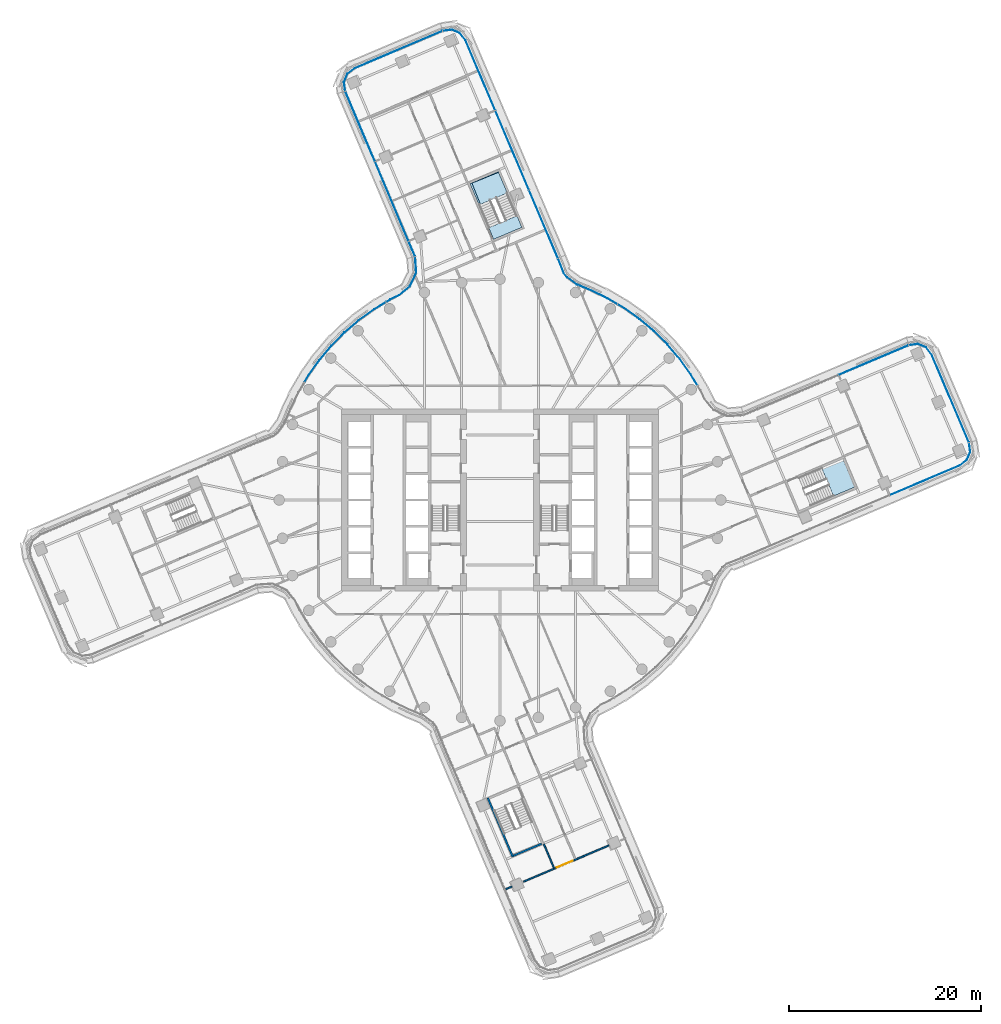
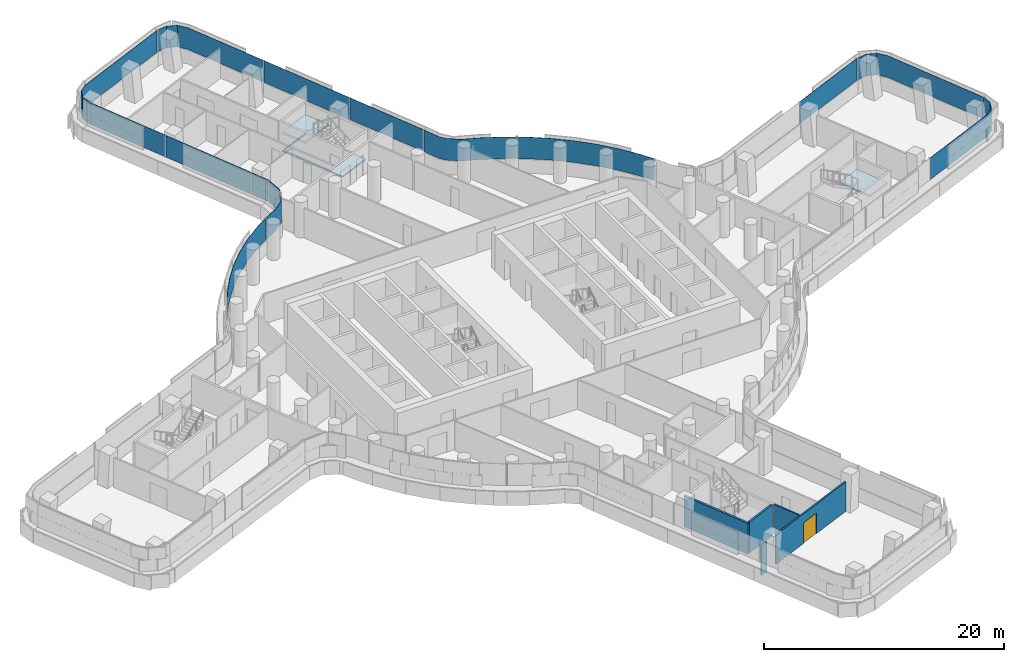
# One storey, part 20 of 35: 14 plates, 5 walls, 3 slabs, 1 door, 1 opening, 10 elements without a shape of their own.
"""IFC4 building model written with IfcOpenShell, lengths in metres."""

from ifc_helpers import new_model, si_unit, direction, frame, frame_2d, origin, place, context, subcontext, project, spatial, polyline, rectangle, outline, extrude, material, layer, layer_set, type_object, element, fill, aggregate, save


model = new_model("IFC4")

# Units and contexts
model_context = context("Model", 3, precision=1e-05, world=origin(), true_north=direction((0.0, 1.0)))
body_context = subcontext(model_context, "Body", "Model", "MODEL_VIEW")
ifc_project = project(units=[si_unit("LENGTHUNIT", "METRE"), si_unit("AREAUNIT", "SQUARE_METRE"), si_unit("VOLUMEUNIT", "CUBIC_METRE"), si_unit("PLANEANGLEUNIT", "RADIAN"), si_unit("MASSUNIT", "GRAM", prefix="KILO")], contexts=[model_context])

# Site, building, storey
site_placement = place(None, origin())
site = spatial("IfcSite", under=ifc_project, at=site_placement, CompositionType="ELEMENT")
building_placement = place(site_placement, origin())
building = spatial("IfcBuilding", under=site, at=building_placement, Name="Tamarind Cross Interchange Tower", CompositionType="ELEMENT")
storey_placement = place(building_placement, frame((0.0, 0.0, 117.25)))
storey = spatial("IfcBuildingStorey", under=building, at=storey_placement, Name="L28", CompositionType="ELEMENT", Elevation=117.25)

# Slab
ifc_material_1 = material(Name="Concrete C35", Category="concrete")
ifc_layer_1 = layer(ifc_material_1, 0.139892578125)
ifc_layer_set_1 = layer_set([ifc_layer_1], Name="Concrete C35")
slab_type_1 = type_object("IfcSlabType", Name="Composite slab 140 Concrete C35", PredefinedType="FLOOR", material=ifc_layer_set_1)
slab_1_placement = place(storey_placement, frame((0.0, 0.0, -0.139892578125)))
element("IfcSlab", 1, at=slab_1_placement, inside=storey, type_object=slab_type_1, Name="Floor slab L28", PredefinedType="FLOOR", context=body_context, shape_type="SweptSolid", body=[
    extrude(outline(polyline([(-0.663818359375, 27.149658203125), (2.2822265625, 28.3994140625), (1.80224609375, 29.531005859375), (1.77001953125, 29.607177734375), (-1.06982421875, 28.402587890625), (-2.923583984375, 33.004638671875), (-0.145751953125, 34.12353515625), (-0.177978515625, 34.19921875), (-3.123779296875, 32.949462890625), (-0.663818359375, 27.149658203125)])), origin(), (0.0, 0.0, 1.0), 0.139892578125),
])

# Stair, slab
ifc_material_2 = material(Name="Exit stair")
stair_type = type_object("IfcStairType", Name="Exit stair", PredefinedType="HALF_TURN_STAIR", material=ifc_material_2)
stair_1_placement = place(storey_placement, origin())
stair_1 = element("IfcStair", 2, at=stair_1_placement, inside=storey, type_object=stair_type, Name="L28 exit stair ST3", PredefinedType="HALF_TURN_STAIR")
ifc_material_3 = material(Name="Concrete C40", Category="concrete")
ifc_layer_2 = layer(ifc_material_3, 0.199951171875)
ifc_layer_set_2 = layer_set([ifc_layer_2], Name="Concrete C40")
slab_type_2 = type_object("IfcSlabType", Name="Stair landing", PredefinedType="LANDING", material=ifc_layer_set_2)
slab_2_placement = place(storey_placement, frame((0.0, 0.0, 1.675048828125)))
slab_2 = element("IfcSlab", 3, at=slab_2_placement, type_object=slab_type_2, Name="ST3 landing 1", PredefinedType="LANDING", context=body_context, shape_type="SweptSolid", body=[
    extrude(outline(polyline([(34.740478515625, 0.407470703125), (36.9609375, 1.349365234375), (35.71142578125, 4.29541015625), (33.49072265625, 3.353515625), (34.740478515625, 0.407470703125)])), origin(), (0.0, 0.0, 1.0), 0.199951171875),
])
aggregate(stair_1, [slab_2])

stair_2_placement = place(storey_placement, origin())
stair_2 = element("IfcStair", 4, at=stair_2_placement, inside=storey, type_object=stair_type, Name="L28 exit stair ST4", PredefinedType="HALF_TURN_STAIR")
slab_3_placement = place(storey_placement, frame((0.0, 0.0, 1.675048828125)))
slab_3 = element("IfcSlab", 5, at=slab_3_placement, type_object=slab_type_2, Name="ST4 landing 1", PredefinedType="LANDING", context=body_context, shape_type="SweptSolid", body=[
    extrude(outline(polyline([(0.763916015625, 31.978515625), (-0.177978515625, 34.19921875), (-3.123779296875, 32.949462890625), (-2.181884765625, 30.72900390625), (0.763916015625, 31.978515625)])), origin(), (0.0, 0.0, 1.0), 0.199951171875),
])
aggregate(stair_2, [slab_3])

# Curtain wall, plate
ifc_material_4 = material(Name="Aluminium 6063-T6", Category="aluminium")
ifc_layer_3 = layer(ifc_material_4, 0.159912109375)
ifc_layer_set_3 = layer_set([ifc_layer_3], Name="Aluminium 6063-T6")
curtain_wall_type = type_object("IfcCurtainWallType", Name="Office curtain wall, 9.0 m bays", PredefinedType="NOTDEFINED", material=ifc_layer_set_3)
curtain_wall_1_placement = place(storey_placement, origin())
curtain_wall_1 = element("IfcCurtainWall", 6, at=curtain_wall_1_placement, inside=storey, type_object=curtain_wall_type, Name="CWS-L28-07", PredefinedType="NOTDEFINED")
ifc_material_5 = material(Name="Laminated low-e glass 8+1.52+8", Category="glass")
ifc_layer_4 = layer(ifc_material_5, 0.028076171875)
ifc_layer_set_4 = layer_set([ifc_layer_4], Name="Laminated low-e glass 8+1.52+8")
plate_type = type_object("IfcPlateType", Name="Vision panel CW1", PredefinedType="CURTAIN_PANEL", material=ifc_layer_set_4)
plate_1_placement = place(storey_placement, frame((0.0, 0.0, 1.39990234375)))
plate_1 = element("IfcPlate", 7, at=plate_1_placement, type_object=plate_type, Name="CWP-L28-07-02", PredefinedType="CURTAIN_PANEL", context=body_context, shape_type="SweptSolid", body=[
    extrude(outline(polyline([(40.58837890625, 0.513427734375), (47.872802734375, 3.603271484375), (48.621337890625, 4.18798828125), (48.96630859375, 5.04150390625), (48.83837890625, 5.9541015625), (48.865966796875, 5.9580078125), (48.9951171875, 5.037841796875), (48.64453125, 4.17041015625), (47.886962890625, 3.5791015625), (40.59912109375, 0.48779296875), (40.58837890625, 0.513427734375)])), origin(), (0.0, 0.0, 1.0), 2.210205078125),
])
aggregate(curtain_wall_1, [plate_1])

curtain_wall_2_placement = place(storey_placement, origin())
curtain_wall_2 = element("IfcCurtainWall", 8, at=curtain_wall_2_placement, inside=storey, type_object=curtain_wall_type, Name="CWS-L28-08", PredefinedType="NOTDEFINED")
plate_2_placement = place(storey_placement, frame((0.0, 0.0, 1.39990234375)))
plate_2 = element("IfcPlate", 9, at=plate_2_placement, type_object=plate_type, Name="CWP-L28-08-00", PredefinedType="CURTAIN_PANEL", context=body_context, shape_type="SweptSolid", body=[
    extrude(outline(polyline([(48.823486328125, 6.0078125), (44.951416015625, 15.13623046875), (44.366943359375, 15.884765625), (43.513427734375, 16.229736328125), (42.6005859375, 16.101806640625), (42.5966796875, 16.12939453125), (43.516845703125, 16.258544921875), (44.38427734375, 15.90771484375), (44.975830078125, 15.150390625), (48.84912109375, 6.018798828125), (48.823486328125, 6.0078125)])), origin(), (0.0, 0.0, 1.0), 2.210205078125),
])
aggregate(curtain_wall_2, [plate_2])

curtain_wall_3_placement = place(storey_placement, origin())
curtain_wall_3 = element("IfcCurtainWall", 10, at=curtain_wall_3_placement, inside=storey, type_object=curtain_wall_type, Name="CWS-L28-09", PredefinedType="NOTDEFINED")
plate_3_placement = place(storey_placement, frame((0.0, 0.0, 1.39990234375)))
plate_3 = element("IfcPlate", 11, at=plate_3_placement, type_object=plate_type, Name="CWP-L28-09-00", PredefinedType="CURTAIN_PANEL", context=body_context, shape_type="SweptSolid", body=[
    extrude(outline(polyline([(42.546630859375, 16.0869140625), (35.271728515625, 13.015380859375), (35.2607421875, 13.041259765625), (42.535888671875, 16.112548828125), (42.546630859375, 16.0869140625)])), origin(), (0.0, 0.0, 1.0), 2.210205078125),
])
aggregate(curtain_wall_3, [plate_3])

# Curtain wall, plates
curtain_wall_4_placement = place(storey_placement, origin())
curtain_wall_4 = element("IfcCurtainWall", 12, at=curtain_wall_4_placement, inside=storey, type_object=curtain_wall_type, Name="CWS-L28-10", PredefinedType="NOTDEFINED")
plate_4_placement = place(storey_placement, frame((0.0, 0.0, 1.39990234375)))
plate_4 = element("IfcPlate", 13, at=plate_4_placement, type_object=plate_type, Name="CWP-L28-10-01", PredefinedType="CURTAIN_PANEL", context=body_context, shape_type="SweptSolid", body=[
    extrude(outline(polyline([(20.57861328125, 11.887451171875), (19.85302734375, 13.093017578125), (18.7041015625, 14.687744140625), (17.42724609375, 16.18212890625), (16.031494140625, 17.56591796875), (14.526123046875, 18.829833984375), (12.921630859375, 19.965087890625), (12.257080078125, 20.357177734375), (12.271240234375, 20.38134765625), (12.936767578125, 19.988525390625), (14.543212890625, 18.85205078125), (16.05029296875, 17.586669921875), (17.44775390625, 16.201171875), (18.72607421875, 14.705078125), (19.87646484375, 13.1083984375), (20.6025390625, 11.90185546875), (20.57861328125, 11.887451171875)])), origin(), (0.0, 0.0, 1.0), 2.210205078125),
])
plate_5_placement = place(storey_placement, frame((0.0, 0.0, 1.39990234375)))
plate_5 = element("IfcPlate", 14, at=plate_5_placement, type_object=plate_type, Name="CWP-L28-10-02", PredefinedType="CURTAIN_PANEL", context=body_context, shape_type="SweptSolid", body=[
    extrude(outline(polyline([(12.205322265625, 20.3876953125), (11.228759765625, 20.9638671875), (9.456787109375, 21.82080078125), (7.982177734375, 22.433837890625), (6.996337890625, 23.1630859375), (6.64013671875, 23.613525390625), (6.033935546875, 25.150634765625), (6.06005859375, 25.160888671875), (6.664794921875, 23.627685546875), (7.01611328125, 23.183349609375), (7.99609375, 22.45849609375), (9.46826171875, 21.846435546875), (11.241943359375, 20.98876953125), (12.2197265625, 20.411865234375), (12.205322265625, 20.3876953125)])), origin(), (0.0, 0.0, 1.0), 2.210205078125),
])
aggregate(curtain_wall_4, [plate_4, plate_5])

curtain_wall_5_placement = place(storey_placement, origin())
curtain_wall_5 = element("IfcCurtainWall", 15, at=curtain_wall_5_placement, inside=storey, type_object=curtain_wall_type, Name="CWS-L28-11", PredefinedType="NOTDEFINED")
plate_6_placement = place(storey_placement, frame((0.0, 0.0, 1.39990234375)))
plate_6 = element("IfcPlate", 16, at=plate_6_placement, type_object=plate_type, Name="CWP-L28-11-00", PredefinedType="CURTAIN_PANEL", context=body_context, shape_type="SweptSolid", body=[
    extrude(outline(polyline([(6.011474609375, 25.205810546875), (3.020263671875, 32.25732421875), (3.046142578125, 32.268310546875), (6.037353515625, 25.216552734375), (6.011474609375, 25.205810546875)])), origin(), (0.0, 0.0, 1.0), 2.210205078125),
])
plate_7_placement = place(storey_placement, frame((0.0, 0.0, 1.39990234375)))
plate_7 = element("IfcPlate", 17, at=plate_7_placement, type_object=plate_type, Name="CWP-L28-11-01", PredefinedType="CURTAIN_PANEL", context=body_context, shape_type="SweptSolid", body=[
    extrude(outline(polyline([(2.996826171875, 32.3125), (-0.489990234375, 40.532958984375), (-0.46435546875, 40.5439453125), (3.022705078125, 32.323486328125), (2.996826171875, 32.3125)])), origin(), (0.0, 0.0, 1.0), 2.210205078125),
])
plate_8_placement = place(storey_placement, frame((0.0, 0.0, 1.39990234375)))
plate_8 = element("IfcPlate", 18, at=plate_8_placement, type_object=plate_type, Name="CWP-L28-11-02", PredefinedType="CURTAIN_PANEL", context=body_context, shape_type="SweptSolid", body=[
    extrude(outline(polyline([(-0.513427734375, 40.58837890625), (-3.603271484375, 47.872802734375), (-4.18798828125, 48.621337890625), (-5.04150390625, 48.96630859375), (-5.9541015625, 48.83837890625), (-5.9580078125, 48.865966796875), (-5.037841796875, 48.9951171875), (-4.17041015625, 48.64453125), (-3.5791015625, 47.886962890625), (-0.48779296875, 40.59912109375), (-0.513427734375, 40.58837890625)])), origin(), (0.0, 0.0, 1.0), 2.210205078125),
])
aggregate(curtain_wall_5, [plate_6, plate_7, plate_8])

# Curtain wall, plate
curtain_wall_6_placement = place(storey_placement, origin())
curtain_wall_6 = element("IfcCurtainWall", 19, at=curtain_wall_6_placement, inside=storey, type_object=curtain_wall_type, Name="CWS-L28-12", PredefinedType="NOTDEFINED")
plate_9_placement = place(storey_placement, frame((0.0, 0.0, 1.39990234375)))
plate_9 = element("IfcPlate", 20, at=plate_9_placement, type_object=plate_type, Name="CWP-L28-12-00", PredefinedType="CURTAIN_PANEL", context=body_context, shape_type="SweptSolid", body=[
    extrude(outline(polyline([(-6.0078125, 48.823486328125), (-15.13623046875, 44.951416015625), (-15.884765625, 44.366943359375), (-16.229736328125, 43.513427734375), (-16.101806640625, 42.6005859375), (-16.12939453125, 42.5966796875), (-16.258544921875, 43.516845703125), (-15.90771484375, 44.38427734375), (-15.150390625, 44.975830078125), (-6.018798828125, 48.84912109375), (-6.0078125, 48.823486328125)])), origin(), (0.0, 0.0, 1.0), 2.210205078125),
])
aggregate(curtain_wall_6, [plate_9])

# Curtain wall, plates
curtain_wall_7_placement = place(storey_placement, origin())
curtain_wall_7 = element("IfcCurtainWall", 21, at=curtain_wall_7_placement, inside=storey, type_object=curtain_wall_type, Name="CWS-L28-13", PredefinedType="NOTDEFINED")
plate_10_placement = place(storey_placement, frame((0.0, 0.0, 1.39990234375)))
plate_10 = element("IfcPlate", 22, at=plate_10_placement, type_object=plate_type, Name="CWP-L28-13-00", PredefinedType="CURTAIN_PANEL", context=body_context, shape_type="SweptSolid", body=[
    extrude(outline(polyline([(-16.0869140625, 42.546630859375), (-13.015380859375, 35.271728515625), (-13.041259765625, 35.2607421875), (-16.112548828125, 42.535888671875), (-16.0869140625, 42.546630859375)])), origin(), (0.0, 0.0, 1.0), 2.210205078125),
])
plate_11_placement = place(storey_placement, frame((0.0, 0.0, 1.39990234375)))
plate_11 = element("IfcPlate", 23, at=plate_11_placement, type_object=plate_type, Name="CWP-L28-13-01", PredefinedType="CURTAIN_PANEL", context=body_context, shape_type="SweptSolid", body=[
    extrude(outline(polyline([(-12.9921875, 35.216552734375), (-9.513671875, 26.977294921875), (-9.53955078125, 26.96630859375), (-13.017822265625, 35.20556640625), (-12.9921875, 35.216552734375)])), origin(), (0.0, 0.0, 1.0), 2.210205078125),
])
plate_12_placement = place(storey_placement, frame((0.0, 0.0, 1.39990234375)))
plate_12 = element("IfcPlate", 24, at=plate_12_placement, type_object=plate_type, Name="CWP-L28-13-02", PredefinedType="CURTAIN_PANEL", context=body_context, shape_type="SweptSolid", body=[
    extrude(outline(polyline([(-9.490478515625, 26.921875), (-8.83935546875, 25.3798828125), (-8.865234375, 25.369140625), (-9.51611328125, 26.9111328125), (-9.490478515625, 26.921875)])), origin(), (0.0, 0.0, 1.0), 2.210205078125),
])
aggregate(curtain_wall_7, [plate_10, plate_11, plate_12])

curtain_wall_8_placement = place(storey_placement, origin())
curtain_wall_8 = element("IfcCurtainWall", 25, at=curtain_wall_8_placement, inside=storey, type_object=curtain_wall_type, Name="CWS-L28-14", PredefinedType="NOTDEFINED")
plate_13_placement = place(storey_placement, frame((0.0, 0.0, 1.39990234375)))
plate_13 = element("IfcPlate", 26, at=plate_13_placement, type_object=plate_type, Name="CWP-L28-14-00", PredefinedType="CURTAIN_PANEL", context=body_context, shape_type="SweptSolid", body=[
    extrude(outline(polyline([(-8.824462890625, 25.31787109375), (-8.7060546875, 23.661376953125), (-9.38037109375, 22.2333984375), (-10.49755859375, 21.32177734375), (-11.408447265625, 20.86669921875), (-11.8359375, 20.609619140625), (-11.850341796875, 20.633544921875), (-11.421875, 20.891357421875), (-10.5126953125, 21.345458984375), (-9.40283203125, 22.251220703125), (-8.734619140625, 23.666748046875), (-8.8525390625, 25.31591796875), (-8.824462890625, 25.31787109375)])), origin(), (0.0, 0.0, 1.0), 2.210205078125),
])
plate_14_placement = place(storey_placement, frame((0.0, 0.0, 1.39990234375)))
plate_14 = element("IfcPlate", 27, at=plate_14_placement, type_object=plate_type, Name="CWP-L28-14-01", PredefinedType="CURTAIN_PANEL", context=body_context, shape_type="SweptSolid", body=[
    extrude(outline(polyline([(-11.887451171875, 20.57861328125), (-13.093017578125, 19.85302734375), (-14.687744140625, 18.7041015625), (-16.18212890625, 17.42724609375), (-17.56591796875, 16.031494140625), (-18.829833984375, 14.526123046875), (-19.965087890625, 12.921630859375), (-20.357177734375, 12.257080078125), (-20.38134765625, 12.271240234375), (-19.988525390625, 12.936767578125), (-18.85205078125, 14.543212890625), (-17.586669921875, 16.05029296875), (-16.201171875, 17.44775390625), (-14.705078125, 18.72607421875), (-13.1083984375, 19.87646484375), (-11.90185546875, 20.6025390625), (-11.887451171875, 20.57861328125)])), origin(), (0.0, 0.0, 1.0), 2.210205078125),
])
aggregate(curtain_wall_8, [plate_13, plate_14])

# Walls
ifc_material_6 = material(Name="Gypsum board partition on steel studs", Category="steel")
ifc_layer_5 = layer(ifc_material_6, 0.14990234375)
ifc_layer_set_5 = layer_set([ifc_layer_5], Name="Gypsum board partition on steel studs")
wall_type_1 = type_object("IfcWallType", Name="Partition 150 mm EI 120", PredefinedType="PARTITIONING", material=ifc_layer_set_5)
wall_1_placement = place(storey_placement, frame((4.571044921875, -35.854248046875, 0.0), z_axis=(0.0, 0.0, 1.0), x_axis=(0.390339732819, -0.920670892872, 0.0)))
element("IfcWall", 28, at=wall_1_placement, inside=storey, type_object=wall_type_1, Name="Partition L28-019", PredefinedType="PARTITIONING", context=body_context, shape_type="SweptSolid", body=[
    extrude(rectangle(XDim=2.685791015625, YDim=0.14990234375, at=frame_2d((1.3427734375, 0.0))), origin(), (0.0, 0.0, 1.0), 3.010009765625),
])
wall_2_placement = place(storey_placement, frame((0.588623046875, -40.542724609375, 0.0), z_axis=(0.0, 0.0, 1.0), x_axis=(0.920649161801, 0.390390984623, 0.0)))
element("IfcWall", 29, at=wall_2_placement, inside=storey, type_object=wall_type_1, Name="Partition L28-066", PredefinedType="PARTITIONING", context=body_context, shape_type="SweptSolid", body=[
    extrude(rectangle(XDim=0.71044921875, YDim=0.14990234375, at=frame_2d((0.355224609375, 0.0))), origin(), (0.0, 0.0, 1.0), 3.010009765625),
])

# Wall, opening, door
wall_3_placement = place(storey_placement, frame((2.44580078125, -39.7548828125, 0.0), z_axis=(0.0, 0.0, 1.0), x_axis=(0.920593599341, 0.390521990229, 0.0)))
wall_3 = element("IfcWall", 30, at=wall_3_placement, inside=storey, type_object=wall_type_1, Name="Partition L28-067", PredefinedType="PARTITIONING", context=body_context, shape_type="SweptSolid", body=[
    extrude(rectangle(XDim=9.67822265625, YDim=0.14990234375, at=frame_2d((4.839111328125, 0.0))), origin(), (0.0, 0.0, 1.0), 3.010009765625),
])
opening_placement = place(wall_3_placement, frame((3.781494140625, 0.0, 0.0)))
opening = element("IfcOpeningElement", 31, at=opening_placement, cuts=wall_3, Name="Opening D35", PredefinedType="OPENING", context=body_context, shape_type="SweptSolid", body=[
    extrude(rectangle(XDim=1.800048828125, YDim=2.10009765625, at=frame_2d((0.89990234375, 1.050048828125))), frame((0.0, 0.0849609375, 0.0), z_axis=(0.0, -1.0, 0.0), x_axis=(1.0, 0.0, 0.0)), (0.0, 0.0, 1.0), 0.169921875),
])
ifc_material_7 = material(Name="Fire-resisting door set")
door_type = type_object("IfcDoorType", Name="Interior door 1800 x 2100 FD60S", OperationType="DOUBLE_DOOR_SINGLE_SWING", PredefinedType="DOOR", material=ifc_material_7)
door_placement = place(opening_placement, frame((1.800048828125, 0.0, 0.0), z_axis=(0.0, 0.0, 1.0), x_axis=(-1.0, 0.0, 0.0)))
door = element("IfcDoor", 32, at=door_placement, inside=storey, type_object=door_type, Name="Door D35", OperationType="DOUBLE_DOOR_SINGLE_SWING", OverallHeight=2.10009765625, OverallWidth=1.800048828125, PredefinedType="DOOR", context=body_context, shape_type="SweptSolid", body=[
    extrude(rectangle(XDim=1.800048828125, YDim=2.10009765625, at=frame_2d((0.89990234375, 1.050048828125))), frame((0.0, 0.02490234375, 0.0), z_axis=(0.0, -1.0, 0.0), x_axis=(1.0, 0.0, 0.0)), (0.0, 0.0, 1.0), 0.050048828125),
])
fill(opening, door)

# Walls
ifc_layer_6 = layer(ifc_material_3, 0.199951171875)
ifc_layer_set_6 = layer_set([ifc_layer_6], Name="Concrete C40")
wall_type_2 = type_object("IfcWallType", Name="Stair shaft wall 200 mm Concrete C40", PredefinedType="SHEAR", material=ifc_layer_set_6)
wall_4_placement = place(storey_placement, frame((-1.281005859375, -31.01611328125, -0.139892578125), z_axis=(0.0, 0.0, 1.0), x_axis=(0.390517094017, -0.920595676332, 0.0)))
element("IfcWall", 33, at=wall_4_placement, inside=storey, type_object=wall_type_2, Name="Core wall CWL-L28-ST6-C", PredefinedType="SHEAR", context=body_context, shape_type="SweptSolid", body=[
    extrude(rectangle(XDim=6.699951171875, YDim=0.199951171875, at=frame_2d((3.35009765625, 0.0))), origin(), (0.0, 0.0, 1.0), 3.14990234375),
])
wall_5_placement = place(storey_placement, frame((0.0, 0.0, -0.139892578125)))
element("IfcWall", 34, at=wall_5_placement, inside=storey, type_object=wall_type_2, Name="Core wall CWL-L28-ST6-CF", PredefinedType="SHEAR", context=body_context, shape_type="SweptSolid", body=[
    extrude(outline(polyline([(1.349365234375, -36.9609375), (1.427490234375, -37.14501953125), (4.373291015625, -35.8955078125), (4.29541015625, -35.711181640625), (1.349365234375, -36.9609375)])), origin(), (0.0, 0.0, 1.0), 3.14990234375),
])

save(model, "model.ifc")
